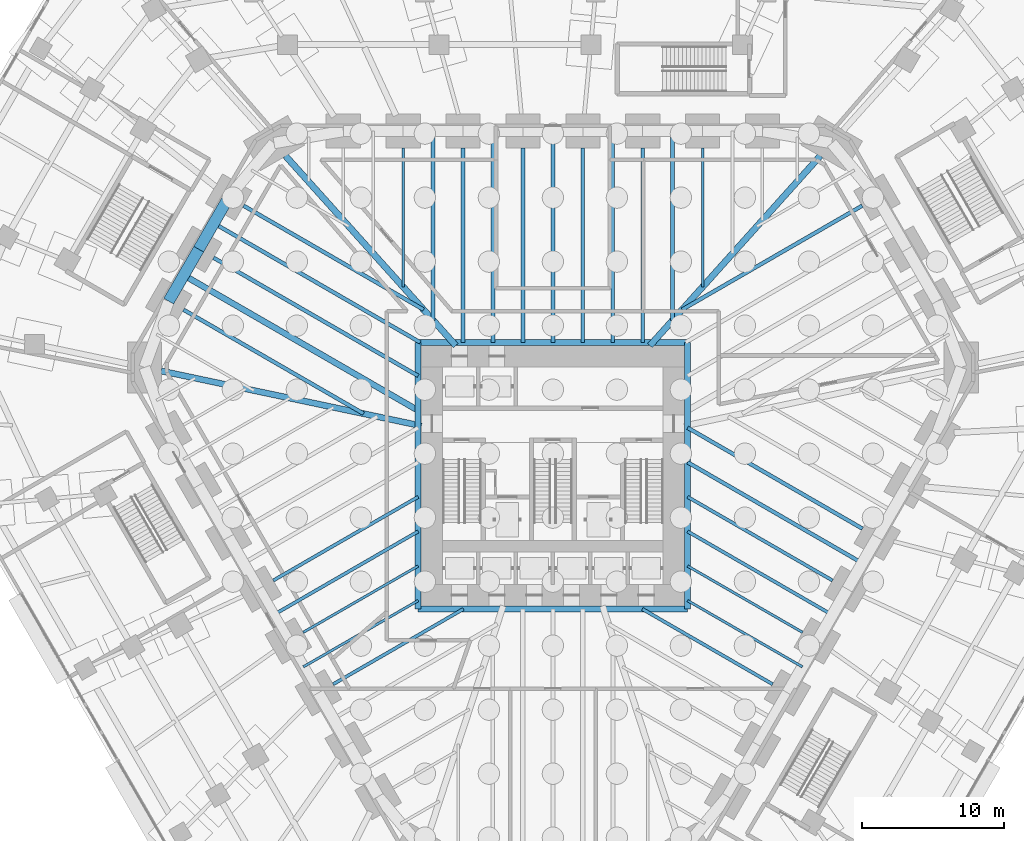
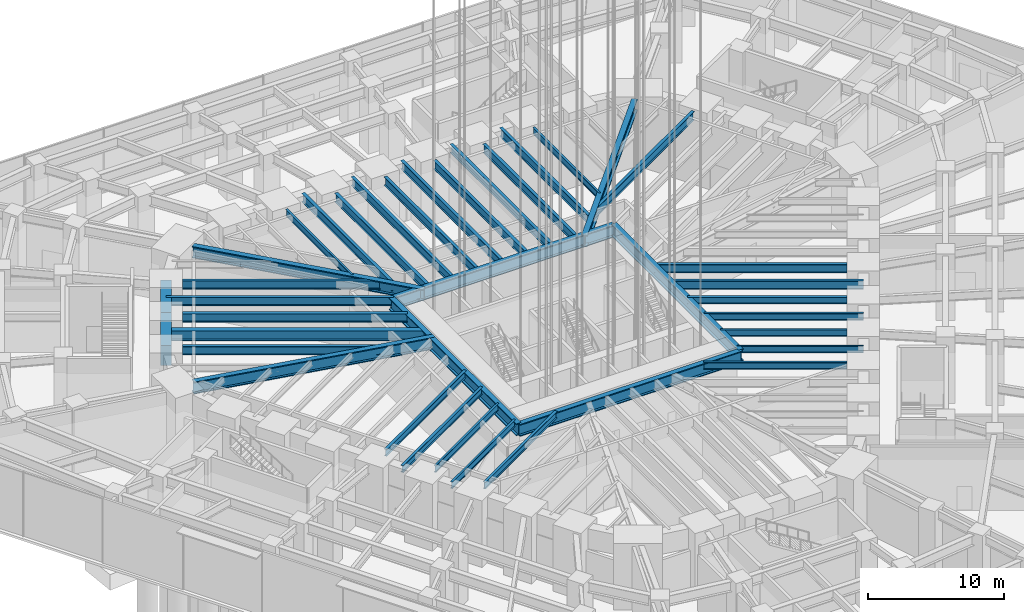
# One storey, part 8 of 34: 38 beams.
"""IFC4 building model written with IfcOpenShell, lengths in metres."""

import ifcopenshell
import ifcopenshell.guid

model = None  # the IFC model being written
_history = None  # IfcOwnerHistory: only IFC2X3 demands one
_inside = {}  # id of a spatial element -> (the spatial element, [elements in it])
_under = {}  # id of a project, library or spatial element -> (it, [spatial elements below it])
_declared = {}  # id of a project -> (the project, [libraries it declares])
_typed = {}  # id of a type object -> (the type object, [elements of that type])
_made_of = {}  # id of a material, layer set ... -> (it, [elements and type objects made of it])


def new_model(schema):
    """Start an empty IFC model of exactly this schema.

    Asked for "IFC4X3", IfcOpenShell would pick the latest addendum, in which some entities
    have other attributes; the version numbers below select the first issue.
    IFC2X3 requires an IfcOwnerHistory on every rooted entity: one is made here for all.
    """
    global model, _history
    if schema == "IFC4X3":
        model = ifcopenshell.file(schema_version=(4, 3, 0, 0))
    else:
        model = ifcopenshell.file(schema=schema)
    _inside.clear()
    _under.clear()
    _declared.clear()
    _typed.clear()
    _made_of.clear()
    _history = None
    if model.schema == "IFC2X3":
        org = make("IfcOrganization", Name="unknown")
        user = make(
            "IfcPersonAndOrganization",
            ThePerson=make("IfcPerson", FamilyName="unknown"),
            TheOrganization=org,
        )
        app = make(
            "IfcApplication",
            ApplicationDeveloper=org,
            Version="unknown",
            ApplicationFullName="unknown",
            ApplicationIdentifier="unknown",
        )
        _history = make(
            "IfcOwnerHistory",
            OwningUser=user,
            OwningApplication=app,
            ChangeAction="ADDED",
            CreationDate=0,
        )
    return model


def make(cls, **values):
    """One entity of the class cls with the attributes given. An attribute that is None is left unset."""
    return model.create_entity(
        cls, **{name: value for name, value in values.items() if value is not None}
    )


def rooted(cls, **values):
    """An entity with a GlobalId (a new one), such as an element, a storey or a relation."""
    return make(cls, GlobalId=ifcopenshell.guid.new(), OwnerHistory=_history, **values)


def si_unit(unit_type, name, prefix=None):
    """IfcSIUnit, for example si_unit("LENGTHUNIT", "METRE", prefix="MILLI")."""
    return make("IfcSIUnit", UnitType=unit_type, Prefix=prefix, Name=name)


def assignment(units):
    """IfcUnitAssignment: the units of a project."""
    return None if units is None else make("IfcUnitAssignment", Units=units)


def point(xyz):
    """IfcCartesianPoint."""
    return None if xyz is None else make("IfcCartesianPoint", Coordinates=xyz)


def direction(xyz):
    """IfcDirection."""
    return None if xyz is None else make("IfcDirection", DirectionRatios=xyz)


def frame(location, z_axis=None, x_axis=None):
    """IfcAxis2Placement3D, a coordinate frame: its origin and axes. An axis left out is left unset."""
    return make(
        "IfcAxis2Placement3D",
        Location=point(location),
        Axis=direction(z_axis),
        RefDirection=direction(x_axis),
    )


def frame_2d(location, x_axis=None):
    """IfcAxis2Placement2D, a coordinate frame in the plane: its origin and x axis."""
    return make(
        "IfcAxis2Placement2D", Location=point(location), RefDirection=direction(x_axis)
    )


def origin():
    """The frame at (0, 0, 0) with its axes left unset."""
    return frame((0.0, 0.0, 0.0))


def origin_2d():
    """The frame at (0, 0) in the plane with its x axis left unset."""
    return frame_2d((0.0, 0.0))


def place(relative_to, where):
    """IfcLocalPlacement: puts the frame where relative to a parent placement (None: the world)."""
    return make(
        "IfcLocalPlacement", PlacementRelTo=relative_to, RelativePlacement=where
    )


def context(
    kind, dimensions, precision=None, world=None, true_north=None, identifier=None
):
    """IfcGeometricRepresentationContext, for example the 3D "Model" context."""
    return make(
        "IfcGeometricRepresentationContext",
        ContextIdentifier=identifier,
        ContextType=kind,
        CoordinateSpaceDimension=dimensions,
        Precision=precision,
        WorldCoordinateSystem=world,
        TrueNorth=true_north,
    )


def subcontext(parent, identifier, kind, view, scale=None):
    """IfcGeometricRepresentationSubContext, for example "Body" below "Model"."""
    return make(
        "IfcGeometricRepresentationSubContext",
        ContextIdentifier=identifier,
        ContextType=kind,
        ParentContext=parent,
        TargetScale=scale,
        TargetView=view,
    )


def project(units=None, contexts=None):
    """IfcProject with its units and contexts."""
    return rooted(
        "IfcProject",
        Name="project",
        RepresentationContexts=contexts,
        UnitsInContext=assignment(units),
    )


def spatial(cls, under=None, at=None, **own):
    """A site, building, storey or space (cls), placed at a placement, below another one or the project."""
    s = rooted(cls, ObjectPlacement=at, **own)
    if under is not None:
        _under.setdefault(under.id(), (under, []))[1].append(s)
    return s


def profile(cls, at=None, kind="AREA", **sizes):
    """A parametric profile (cls). Its sizes go by their IFC names, for example OverallWidth=200.0."""
    return make(cls, ProfileType=kind, Position=at, **sizes)


def rectangle(**sizes):
    """IfcRectangleProfileDef."""
    return profile("IfcRectangleProfileDef", **sizes)


def i_section(**sizes):
    """IfcIShapeProfileDef."""
    return profile("IfcIShapeProfileDef", **sizes)


def extrude(swept, where, along, depth):
    """IfcExtrudedAreaSolid: the profile swept, set in the frame where, extruded along a direction by depth."""
    return make(
        "IfcExtrudedAreaSolid",
        SweptArea=swept,
        Position=where,
        ExtrudedDirection=direction(along),
        Depth=depth,
    )


def shape(context_of_items, identifier, shape_type, items):
    """IfcShapeRepresentation: the items that make up one representation, for example the "Body"."""
    return make(
        "IfcShapeRepresentation",
        ContextOfItems=context_of_items,
        RepresentationIdentifier=identifier,
        RepresentationType=shape_type,
        Items=items,
    )


def material(Name=None, Category=None):
    """IfcMaterial."""
    return make("IfcMaterial", Name=Name, Category=Category)


def material_profile(
    of_material, cross_section, Name=None, Category=None, Priority=None
):
    """IfcMaterialProfile: a cross section and its material."""
    return make(
        "IfcMaterialProfile",
        Name=Name,
        Material=of_material,
        Profile=cross_section,
        Priority=Priority,
        Category=Category,
    )


def profile_set(profiles, Name=None, composite=None):
    """IfcMaterialProfileSet."""
    return make(
        "IfcMaterialProfileSet",
        Name=Name,
        MaterialProfiles=profiles,
        CompositeProfile=composite,
    )


def made_of(thing, what):
    """Note that an element or type object is made of a material, layer set ...; save() writes the relation."""
    if what is not None:
        _made_of.setdefault(what.id(), (what, []))[1].append(thing)
    return thing


def type_object(cls, material=None, **own):
    """A type object (cls), such as IfcWallType, which elements share."""
    return made_of(rooted(cls, **own), material)


def element(
    cls,
    number,
    at=None,
    inside=None,
    cuts=None,
    type_object=None,
    material=None,
    context=None,
    identifier="Body",
    shape_type=None,
    held_by="IfcProductDefinitionShape",
    body=None,
    shapes=None,
    **own,
):
    """One element of the class cls, such as IfcWall. Its Tag is "e" and its number.

    at: its placement. inside: the storey or other place that contains it. cuts: it is an
    opening in that element (IfcRelVoidsElement). A single representation is given by context,
    identifier, shape_type and body (its items); several are given by shapes. held_by: the class
    of the entity that holds the representations. save() writes the other relations.
    """
    e = rooted(cls, Tag="e%d" % number, ObjectPlacement=at, **own)
    if body is not None:
        shapes = [shape(context, identifier, shape_type, body)]
    if shapes is not None:
        e.Representation = make(held_by, Representations=shapes)
    if inside is not None:
        _inside.setdefault(inside.id(), (inside, []))[1].append(e)
    if cuts is not None:
        rooted(
            "IfcRelVoidsElement", RelatingBuildingElement=cuts, RelatedOpeningElement=e
        )
    if type_object is not None:
        _typed.setdefault(type_object.id(), (type_object, []))[1].append(e)
    return made_of(e, material)


def aggregate(whole, parts):
    """IfcRelAggregates: a whole, such as a stair, and the parts it consists of."""
    return rooted("IfcRelAggregates", RelatingObject=whole, RelatedObjects=parts)


def save(model, path):
    """Write the relations noted so far, then the file.

    IfcRelAggregates (storeys below a building ...), IfcRelContainedInSpatialStructure (elements
    in a storey), IfcRelDefinesByType, IfcRelAssociatesMaterial and IfcRelDeclares: one each for
    every whole, place, type object, material and project.
    """
    for whole, parts in _under.values():
        aggregate(whole, parts)
    for where, things in _inside.values():
        rooted(
            "IfcRelContainedInSpatialStructure",
            RelatedElements=things,
            RelatingStructure=where,
        )
    for kind, things in _typed.values():
        rooted("IfcRelDefinesByType", RelatedObjects=things, RelatingType=kind)
    for what, things in _made_of.values():
        rooted("IfcRelAssociatesMaterial", RelatedObjects=things, RelatingMaterial=what)
    for by, libraries in _declared.values():
        rooted("IfcRelDeclares", RelatingContext=by, RelatedDefinitions=libraries)
    model.write(path)


model = new_model("IFC4")

# Units and contexts
model_context = context("Model", 3, precision=1e-05, world=origin(), true_north=direction((0.0, 1.0)))
body_context = subcontext(model_context, "Body", "Model", "MODEL_VIEW")
ifc_project = project(units=[si_unit("LENGTHUNIT", "METRE"), si_unit("AREAUNIT", "SQUARE_METRE"), si_unit("VOLUMEUNIT", "CUBIC_METRE"), si_unit("PLANEANGLEUNIT", "RADIAN"), si_unit("MASSUNIT", "GRAM", prefix="KILO")], contexts=[model_context])

# Site, building, storey
site_placement = place(None, origin())
site = spatial("IfcSite", under=ifc_project, at=site_placement, CompositionType="ELEMENT")
building_placement = place(site_placement, origin())
building = spatial("IfcBuilding", under=site, at=building_placement, Name="Sandreach Pilgrim Tower", CompositionType="ELEMENT")
storey_placement = place(building_placement, origin())
storey = spatial("IfcBuildingStorey", under=building, at=storey_placement, Name="L00", CompositionType="ELEMENT", Elevation=0.0)

# Beams
ifc_material_1 = material(Name="Steel ASTM A992 Grade 50", Category="steel")
ifc_material_profile_1 = material_profile(ifc_material_1, i_section(OverallWidth=0.424072265625, OverallDepth=1.09228515625, WebThickness=0.04541015625, FlangeThickness=0.08203125, at=origin_2d()), Name="W40X593")
ifc_profile_set_1 = profile_set([ifc_material_profile_1], Name="Steel ASTM A992 Grade 50")
beam_type_1 = type_object("IfcBeamType", Name="Core edge beam W40X593", PredefinedType="BEAM", material=ifc_profile_set_1)
beam_1_placement = place(storey_placement, frame((-9.47216796875, 7.822021484375, 5.2939453125), z_axis=(1.0, 0.0, 0.0), x_axis=(0.0, 1.0, 0.0)))
element("IfcBeam", 1, at=beam_1_placement, inside=storey, type_object=beam_type_1, Name="BM L00 CEN", PredefinedType="BEAM", context=body_context, shape_type="SweptSolid", body=[
    extrude(i_section(OverallWidth=0.424072265625, OverallDepth=1.09228515625, WebThickness=0.04541015625, FlangeThickness=0.08203125, at=origin_2d()), origin(), (0.0, 0.0, 1.0), 18.9443359375),
])
beam_2_placement = place(storey_placement, frame((9.47216796875, 7.822021484375, 5.2939453125), z_axis=(0.0, -1.0, 0.0), x_axis=(1.0, 0.0, 0.0)))
element("IfcBeam", 2, at=beam_2_placement, inside=storey, type_object=beam_type_1, Name="BM L00 CEE", PredefinedType="BEAM", context=body_context, shape_type="SweptSolid", body=[
    extrude(i_section(OverallWidth=0.424072265625, OverallDepth=1.09228515625, WebThickness=0.04541015625, FlangeThickness=0.08203125, at=origin_2d()), origin(), (0.0, 0.0, 1.0), 18.744140625),
])
beam_3_placement = place(storey_placement, frame((9.47216796875, -10.922119140625, 5.2939453125), z_axis=(-1.0, 0.0, 0.0), x_axis=(0.0, -1.0, 0.0)))
element("IfcBeam", 3, at=beam_3_placement, inside=storey, type_object=beam_type_1, Name="BM L00 CES", PredefinedType="BEAM", context=body_context, shape_type="SweptSolid", body=[
    extrude(i_section(OverallWidth=0.424072265625, OverallDepth=1.09228515625, WebThickness=0.04541015625, FlangeThickness=0.08203125, at=origin_2d()), origin(), (0.0, 0.0, 1.0), 18.9443359375),
])
beam_4_placement = place(storey_placement, frame((-9.47216796875, -10.922119140625, 5.2939453125), z_axis=(0.0, 1.0, 0.0), x_axis=(-1.0, 0.0, 0.0)))
element("IfcBeam", 4, at=beam_4_placement, inside=storey, type_object=beam_type_1, Name="BM L00 CEW", PredefinedType="BEAM", context=body_context, shape_type="SweptSolid", body=[
    extrude(i_section(OverallWidth=0.424072265625, OverallDepth=1.09228515625, WebThickness=0.04541015625, FlangeThickness=0.08203125, at=origin_2d()), origin(), (0.0, 0.0, 1.0), 18.744140625),
])
ifc_material_2 = material(Name="Steel ASTM A992 Grade 50", Category="steel")
ifc_material_profile_2 = material_profile(ifc_material_2, i_section(OverallWidth=0.447021484375, OverallDepth=1.0439453125, WebThickness=0.050048828125, FlangeThickness=0.08984375, at=origin_2d()), Name="W36X652")
ifc_profile_set_2 = profile_set([ifc_material_profile_2], Name="Steel ASTM A992 Grade 50")
beam_type_2 = type_object("IfcBeamType", Name="Corner girder W36X652", PredefinedType="BEAM", material=ifc_profile_set_2)
for number, where, z_axis, x_axis, name in (
    (5, (18.8046875, 20.94189453125, 5.318115234375), (-0.668127834846, -0.74404650144, 0.0), (0.74404650144, -0.668127834846, 0.0), "BM L00 CG09"),
    (6, (-18.8046875, 20.94189453125, 5.318115234375), (0.668127834846, -0.74404650144, 0.0), (0.74404650144, 0.668127834846, 0.0), "BM L00 CG39"),
):
    element("IfcBeam", number, at=place(storey_placement, frame(where, z_axis=z_axis, x_axis=x_axis)), inside=storey, type_object=beam_type_2, Name=name, PredefinedType="BEAM", context=body_context, shape_type="SweptSolid", body=[
        extrude(i_section(OverallWidth=0.447021484375, OverallDepth=1.0439453125, WebThickness=0.050048828125, FlangeThickness=0.08984375, at=origin_2d()), origin(), (0.0, 0.0, 1.0), 17.931396484375),
    ])
ifc_material_3 = material(Name="Steel ASTM A992 Grade 50", Category="steel")
ifc_material_profile_3 = material_profile(ifc_material_3, i_section(OverallWidth=0.424072265625, OverallDepth=1.09228515625, WebThickness=0.04541015625, FlangeThickness=0.08203125, at=origin_2d()), Name="W40X593")
ifc_profile_set_3 = profile_set([ifc_material_profile_3], Name="Steel ASTM A992 Grade 50")
beam_type_3 = type_object("IfcBeamType", Name="Corner girder W40X593", PredefinedType="BEAM", material=ifc_profile_set_3)
beam_5_placement = place(storey_placement, frame((-27.53857421875, 5.814208984375, 5.2939453125), z_axis=(0.978429884383, -0.206579189045, 0.0), x_axis=(0.206579189045, 0.978429884383, 0.0)))
element("IfcBeam", 7, at=beam_5_placement, inside=storey, type_object=beam_type_3, Name="BM L00 CG35", PredefinedType="BEAM", context=body_context, shape_type="SweptSolid", body=[
    extrude(i_section(OverallWidth=0.424072265625, OverallDepth=1.09228515625, WebThickness=0.04541015625, FlangeThickness=0.08203125, at=origin_2d()), origin(), (0.0, 0.0, 1.0), 18.691650390625),
])
ifc_material_4 = material(Name="Steel ASTM A992 Grade 50", Category="steel")
ifc_material_profile_4 = material_profile(ifc_material_4, i_section(OverallWidth=0.1787109375, OverallDepth=0.60205078125, WebThickness=0.010986328125, FlangeThickness=0.014892578125, at=origin_2d()), Name="W24X62")
ifc_profile_set_4 = profile_set([ifc_material_profile_4], Name="Steel ASTM A992 Grade 50")
beam_type_4 = type_object("IfcBeamType", Name="Floor beam W24X62", PredefinedType="BEAM", material=ifc_profile_set_4)
for number, where, z_axis, x_axis, name in (
    (8, (-10.52490234375, 21.48876953125, 5.5390625), (0.0, -1.0, 0.0), (1.0, 0.0, 0.0), "BM L00 F02"),
    (9, (10.52490234375, 21.48876953125, 5.5390625), (0.0, -1.0, 0.0), (1.0, 0.0, 0.0), "BM L00 F07"),
):
    element("IfcBeam", number, at=place(storey_placement, frame(where, z_axis=z_axis, x_axis=x_axis)), inside=storey, type_object=beam_type_4, Name=name, PredefinedType="BEAM", context=body_context, shape_type="SweptSolid", body=[
        extrude(i_section(OverallWidth=0.1787109375, OverallDepth=0.60205078125, WebThickness=0.010986328125, FlangeThickness=0.014892578125, at=origin_2d()), origin(), (0.0, 0.0, 1.0), 9.767822265625),
    ])
for number, where, z_axis, x_axis, name in (
    (10, (17.557373046875, -12.5673828125, 5.5390625), (-0.866026636512, 0.499997864846, 0.0), (-0.499997864846, -0.866026636512, 0.0), "BM L00 F18"),
    (11, (-17.557373046875, -12.5673828125, 5.5390625), (0.866026636512, 0.499997864846, 0.0), (-0.499997864846, 0.866026636512, 0.0), "BM L00 F30"),
):
    element("IfcBeam", number, at=place(storey_placement, frame(where, z_axis=z_axis, x_axis=x_axis)), inside=storey, type_object=beam_type_4, Name=name, PredefinedType="BEAM", context=body_context, shape_type="SweptSolid", body=[
        extrude(i_section(OverallWidth=0.1787109375, OverallDepth=0.60205078125, WebThickness=0.010986328125, FlangeThickness=0.014892578125, at=origin_2d()), origin(), (0.0, 0.0, 1.0), 9.3359375),
    ])
for number, where, z_axis, x_axis, name in (
    (12, (17.5439453125, -14.990234375, 5.5390625), (-0.866018083415, 0.500012679037, 0.0), (-0.500012679037, -0.866018083415, 0.0), "BM L00 FM18"),
    (13, (-17.5439453125, -14.990234375, 5.5390625), (0.866018083415, 0.500012679037, 0.0), (-0.500012679037, 0.866018083415, 0.0), "BM L00 FM29"),
):
    element("IfcBeam", number, at=place(storey_placement, frame(where, z_axis=z_axis, x_axis=x_axis)), inside=storey, type_object=beam_type_4, Name=name, PredefinedType="BEAM", context=body_context, shape_type="SweptSolid", body=[
        extrude(i_section(OverallWidth=0.1787109375, OverallDepth=0.60205078125, WebThickness=0.010986328125, FlangeThickness=0.014892578125, at=origin_2d()), origin(), (0.0, 0.0, 1.0), 9.320556640625),
    ])
ifc_material_5 = material(Name="Steel ASTM A992 Grade 50", Category="steel")
ifc_material_profile_5 = material_profile(ifc_material_5, i_section(OverallWidth=0.23046875, OverallDepth=0.6171875, WebThickness=0.01318359375, FlangeThickness=0.022216796875, at=origin_2d()), Name="W24X94")
ifc_profile_set_5 = profile_set([ifc_material_profile_5], Name="Steel ASTM A992 Grade 50")
beam_type_5 = type_object("IfcBeamType", Name="Floor beam W24X94", PredefinedType="BEAM", material=ifc_profile_set_5)
beam_6_placement = place(storey_placement, frame((19.662353515625, -8.92138671875, 5.531494140625), z_axis=(-0.866025609399, 0.499999643865, 0.0), x_axis=(-0.499999643865, -0.866025609399, 0.0)))
element("IfcBeam", 14, at=beam_6_placement, inside=storey, type_object=beam_type_5, Name="BM L00 F17", PredefinedType="BEAM", context=body_context, shape_type="SweptSolid", body=[
    extrude(i_section(OverallWidth=0.23046875, OverallDepth=0.6171875, WebThickness=0.01318359375, FlangeThickness=0.022216796875, at=origin_2d()), origin(), (0.0, 0.0, 1.0), 11.7666015625),
])
for number, where, z_axis, x_axis, name in (
    (15, (15.452392578125, -16.213134765625, 5.531494140625), (-0.866031141999, 0.499990060989, 0.0), (-0.499990060989, -0.866031141999, 0.0), "BM L00 F19"),
    (16, (-15.452392578125, -16.213134765625, 5.531494140625), (0.866031141999, 0.499990060989, 0.0), (-0.499990060989, 0.866031141999, 0.0), "BM L00 F29"),
):
    element("IfcBeam", number, at=place(storey_placement, frame(where, z_axis=z_axis, x_axis=x_axis)), inside=storey, type_object=beam_type_5, Name=name, PredefinedType="BEAM", context=body_context, shape_type="SweptSolid", body=[
        extrude(i_section(OverallWidth=0.23046875, OverallDepth=0.6171875, WebThickness=0.01318359375, FlangeThickness=0.022216796875, at=origin_2d()), origin(), (0.0, 0.0, 1.0), 10.582275390625),
    ])
beam_7_placement = place(storey_placement, frame((-19.662353515625, -8.92138671875, 5.531494140625), z_axis=(0.866025609399, 0.499999643865, 0.0), x_axis=(-0.499999643865, 0.866025609399, 0.0)))
element("IfcBeam", 17, at=beam_7_placement, inside=storey, type_object=beam_type_5, Name="BM L00 F31", PredefinedType="BEAM", context=body_context, shape_type="SweptSolid", body=[
    extrude(i_section(OverallWidth=0.23046875, OverallDepth=0.6171875, WebThickness=0.01318359375, FlangeThickness=0.022216796875, at=origin_2d()), origin(), (0.0, 0.0, 1.0), 11.7666015625),
])
for number, where, z_axis, x_axis, name in (
    (18, (19.64892578125, -11.34423828125, 5.531494140625), (-0.866027820364, 0.499995814338, 0.0), (-0.499995814338, -0.866027820364, 0.0), "BM L00 FM17"),
    (19, (-19.64892578125, -11.34423828125, 5.531494140625), (0.866027820364, 0.499995814338, 0.0), (-0.499995814338, 0.866027820364, 0.0), "BM L00 FM30"),
):
    element("IfcBeam", number, at=place(storey_placement, frame(where, z_axis=z_axis, x_axis=x_axis)), inside=storey, type_object=beam_type_5, Name=name, PredefinedType="BEAM", context=body_context, shape_type="SweptSolid", body=[
        extrude(i_section(OverallWidth=0.23046875, OverallDepth=0.6171875, WebThickness=0.01318359375, FlangeThickness=0.022216796875, at=origin_2d()), origin(), (0.0, 0.0, 1.0), 11.7509765625),
    ])
ifc_material_6 = material(Name="Steel ASTM A992 Grade 50", Category="steel")
ifc_material_profile_6 = material_profile(ifc_material_6, i_section(OverallWidth=0.2666015625, OverallDepth=0.761962890625, WebThickness=0.014404296875, FlangeThickness=0.021484375, at=origin_2d()), Name="W30X116")
ifc_profile_set_6 = profile_set([ifc_material_profile_6], Name="Steel ASTM A992 Grade 50")
beam_type_6 = type_object("IfcBeamType", Name="Floor beam W30X116", PredefinedType="BEAM", material=ifc_profile_set_6)
for number, where, z_axis, x_axis, name in (
    (20, (-6.31494140625, 21.48876953125, 5.458984375), (0.0, -1.0, 0.0), (1.0, 0.0, 0.0), "BM L00 F03"),
    (21, (-2.10498046875, 21.48876953125, 5.458984375), (0.0, -1.0, 0.0), (1.0, 0.0, 0.0), "BM L00 F04"),
    (22, (2.10498046875, 21.48876953125, 5.458984375), (0.0, -1.0, 0.0), (1.0, 0.0, 0.0), "BM L00 F05"),
    (23, (6.31494140625, 21.48876953125, 5.458984375), (0.0, -1.0, 0.0), (1.0, 0.0, 0.0), "BM L00 F06"),
):
    element("IfcBeam", number, at=place(storey_placement, frame(where, z_axis=z_axis, x_axis=x_axis)), inside=storey, type_object=beam_type_6, Name=name, PredefinedType="BEAM", context=body_context, shape_type="SweptSolid", body=[
        extrude(i_section(OverallWidth=0.2666015625, OverallDepth=0.761962890625, WebThickness=0.014404296875, FlangeThickness=0.021484375, at=origin_2d()), origin(), (0.0, 0.0, 1.0), 13.666748046875),
    ])
beam_8_placement = place(storey_placement, frame((21.74853515625, 17.43212890625, 5.458984375), z_axis=(-0.866020355572, -0.500008743658, 0.0), x_axis=(0.500008743658, -0.866020355572, 0.0)))
element("IfcBeam", 24, at=beam_8_placement, inside=storey, type_object=beam_type_6, Name="BM L00 F10", PredefinedType="BEAM", context=body_context, shape_type="SweptSolid", body=[
    extrude(i_section(OverallWidth=0.2666015625, OverallDepth=0.761962890625, WebThickness=0.014404296875, FlangeThickness=0.021484375, at=origin_2d()), origin(), (0.0, 0.0, 1.0), 14.615966796875),
])
beam_9_placement = place(storey_placement, frame((21.76708984375, -5.275390625, 5.458984375), z_axis=(-0.866028081176, 0.499995362593, 0.0), x_axis=(-0.499995362593, -0.866028081176, 0.0)))
element("IfcBeam", 25, at=beam_9_placement, inside=storey, type_object=beam_type_6, Name="BM L00 F16", PredefinedType="BEAM", context=body_context, shape_type="SweptSolid", body=[
    extrude(i_section(OverallWidth=0.2666015625, OverallDepth=0.761962890625, WebThickness=0.014404296875, FlangeThickness=0.021484375, at=origin_2d()), origin(), (0.0, 0.0, 1.0), 14.197021484375),
])
for number, where, z_axis, x_axis, name in (
    (26, (-25.970947265625, 10.118896484375, 5.458984375), (0.866020355572, -0.500008743658, 0.0), (0.500008743658, 0.866020355572, 0.0), "BM L00 F36"),
    (27, (-21.74853515625, 17.43212890625, 5.458984375), (0.866020355572, -0.500008743658, 0.0), (0.500008743658, 0.866020355572, 0.0), "BM L00 F38"),
):
    element("IfcBeam", number, at=place(storey_placement, frame(where, z_axis=z_axis, x_axis=x_axis)), inside=storey, type_object=beam_type_6, Name=name, PredefinedType="BEAM", context=body_context, shape_type="SweptSolid", body=[
        extrude(i_section(OverallWidth=0.2666015625, OverallDepth=0.761962890625, WebThickness=0.014404296875, FlangeThickness=0.021484375, at=origin_2d()), origin(), (0.0, 0.0, 1.0), 14.615966796875),
    ])
beam_10_placement = place(storey_placement, frame((-8.419921875, 22.688720703125, 5.458984375), z_axis=(0.0, -1.0, 0.0), x_axis=(1.0, 0.0, 0.0)))
element("IfcBeam", 28, at=beam_10_placement, inside=storey, type_object=beam_type_6, Name="BM L00 FM02", PredefinedType="BEAM", context=body_context, shape_type="SweptSolid", body=[
    extrude(i_section(OverallWidth=0.2666015625, OverallDepth=0.761962890625, WebThickness=0.014404296875, FlangeThickness=0.021484375, at=origin_2d()), origin(), (0.0, 0.0, 1.0), 13.311767578125),
])
for number, where, z_axis, x_axis, name in (
    (29, (-4.2099609375, 22.688720703125, 5.458984375), (0.0, -1.0, 0.0), (1.0, 0.0, 0.0), "BM L00 FM03"),
    (30, (0.0, 22.688720703125, 5.458984375), (0.0, -1.0, 0.0), (1.0, 0.0, 0.0), "BM L00 FM04"),
    (31, (4.2099609375, 22.688720703125, 5.458984375), (0.0, -1.0, 0.0), (1.0, 0.0, 0.0), "BM L00 FM05"),
):
    element("IfcBeam", number, at=place(storey_placement, frame(where, z_axis=z_axis, x_axis=x_axis)), inside=storey, type_object=beam_type_6, Name=name, PredefinedType="BEAM", context=body_context, shape_type="SweptSolid", body=[
        extrude(i_section(OverallWidth=0.2666015625, OverallDepth=0.761962890625, WebThickness=0.014404296875, FlangeThickness=0.021484375, at=origin_2d()), origin(), (0.0, 0.0, 1.0), 14.86669921875),
    ])
beam_11_placement = place(storey_placement, frame((8.419921875, 22.688720703125, 5.458984375), z_axis=(0.0, -1.0, 0.0), x_axis=(1.0, 0.0, 0.0)))
element("IfcBeam", 32, at=beam_11_placement, inside=storey, type_object=beam_type_6, Name="BM L00 FM06", PredefinedType="BEAM", context=body_context, shape_type="SweptSolid", body=[
    extrude(i_section(OverallWidth=0.2666015625, OverallDepth=0.761962890625, WebThickness=0.014404296875, FlangeThickness=0.021484375, at=origin_2d()), origin(), (0.0, 0.0, 1.0), 13.311767578125),
])
beam_12_placement = place(storey_placement, frame((21.75390625, -7.698486328125, 5.458984375), z_axis=(-0.866019310865, 0.500010553097, 0.0), x_axis=(-0.500010553097, -0.866019310865, 0.0)))
element("IfcBeam", 33, at=beam_12_placement, inside=storey, type_object=beam_type_6, Name="BM L00 FM16", PredefinedType="BEAM", context=body_context, shape_type="SweptSolid", body=[
    extrude(i_section(OverallWidth=0.2666015625, OverallDepth=0.761962890625, WebThickness=0.014404296875, FlangeThickness=0.021484375, at=origin_2d()), origin(), (0.0, 0.0, 1.0), 14.181884765625),
])
ifc_material_7 = material(Name="Steel ASTM A992 Grade 50", Category="steel")
ifc_material_profile_7 = material_profile(ifc_material_7, i_section(OverallWidth=0.2666015625, OverallDepth=0.77978515625, WebThickness=0.0166015625, FlangeThickness=0.030029296875, at=origin_2d()), Name="W30X148")
ifc_profile_set_7 = profile_set([ifc_material_profile_7], Name="Steel ASTM A992 Grade 50")
beam_type_7 = type_object("IfcBeamType", Name="Floor beam W30X148", PredefinedType="BEAM", material=ifc_profile_set_7)
beam_13_placement = place(storey_placement, frame((-23.85986328125, 13.775390625, 5.4501953125), z_axis=(0.866027987673, -0.499995524547, 0.0), x_axis=(0.499995524547, 0.866027987673, 0.0)))
element("IfcBeam", 34, at=beam_13_placement, inside=storey, type_object=beam_type_7, Name="BM L00 F37", PredefinedType="BEAM", context=body_context, shape_type="SweptSolid", body=[
    extrude(i_section(OverallWidth=0.2666015625, OverallDepth=0.77978515625, WebThickness=0.0166015625, FlangeThickness=0.030029296875, at=origin_2d()), origin(), (0.0, 0.0, 1.0), 16.613525390625),
])
beam_14_placement = place(storey_placement, frame((-23.843505859375, 16.203857421875, 5.4501953125), z_axis=(0.866022606334, -0.500004845295, 0.0), x_axis=(0.500004845295, 0.866022606334, 0.0)))
element("IfcBeam", 35, at=beam_14_placement, inside=storey, type_object=beam_type_7, Name="BM L00 FM37", PredefinedType="BEAM", context=body_context, shape_type="SweptSolid", body=[
    extrude(i_section(OverallWidth=0.2666015625, OverallDepth=0.77978515625, WebThickness=0.0166015625, FlangeThickness=0.030029296875, at=origin_2d()), origin(), (0.0, 0.0, 1.0), 16.763427734375),
])
ifc_material_8 = material(Name="Steel ASTM A992 Grade 50", Category="steel")
ifc_material_profile_8 = material_profile(ifc_material_8, i_section(OverallWidth=0.419189453125, OverallDepth=0.927001953125, WebThickness=0.019287109375, FlangeThickness=0.031982421875, at=origin_2d()), Name="W36X231")
ifc_profile_set_8 = profile_set([ifc_material_profile_8], Name="Steel ASTM A992 Grade 50")
beam_type_8 = type_object("IfcBeamType", Name="Floor beam W36X231", PredefinedType="BEAM", material=ifc_profile_set_8)
beam_15_placement = place(storey_placement, frame((-25.95458984375, 12.547119140625, 5.37646484375), z_axis=(0.866025800233, -0.499999313329, 0.0), x_axis=(0.499999313329, 0.866025800233, 0.0)))
element("IfcBeam", 36, at=beam_15_placement, inside=storey, type_object=beam_type_8, Name="BM L00 FM36", PredefinedType="BEAM", context=body_context, shape_type="SweptSolid", body=[
    extrude(i_section(OverallWidth=0.419189453125, OverallDepth=0.927001953125, WebThickness=0.019287109375, FlangeThickness=0.031982421875, at=origin_2d()), origin(), (0.0, 0.0, 1.0), 19.0322265625),
])
ifc_material_9 = material(Name="Concrete 10000 psi", Category="concrete")
ifc_material_profile_9 = material_profile(ifc_material_9, rectangle(XDim=0.800048828125, YDim=1.800048828125, at=origin_2d()), Name="RC800X1800")
ifc_profile_set_9 = profile_set([ifc_material_profile_9], Name="Concrete 10000 psi")
beam_type_9 = type_object("IfcBeamType", Name="Spandrel beam RC800X1800", PredefinedType="SPANDREL", material=ifc_profile_set_9)
beam_16_placement = place(storey_placement, frame((-27.01025390625, 10.71875, 4.93994140625), z_axis=(0.500019412692, 0.866014195571, 0.0), x_axis=(-0.866014195571, 0.500019412692, 0.0)))
element("IfcBeam", 37, at=beam_16_placement, inside=storey, type_object=beam_type_9, Name="BM L00 SP36", PredefinedType="SPANDREL", context=body_context, shape_type="SweptSolid", body=[
    extrude(rectangle(XDim=0.800048828125, YDim=1.800048828125, at=origin_2d()), origin(), (0.0, 0.0, 1.0), 4.222412109375),
])
beam_17_placement = place(storey_placement, frame((-24.89892578125, 14.37548828125, 4.93994140625), z_axis=(0.500001084989, 0.866024777365, 0.0), x_axis=(-0.866024777365, 0.500001084989, 0.0)))
element("IfcBeam", 38, at=beam_17_placement, inside=storey, type_object=beam_type_9, Name="BM L00 SP37", PredefinedType="SPANDREL", context=body_context, shape_type="SweptSolid", body=[
    extrude(rectangle(XDim=0.800048828125, YDim=1.800048828125, at=origin_2d()), origin(), (0.0, 0.0, 1.0), 4.22216796875),
])

save(model, "model.ifc")
